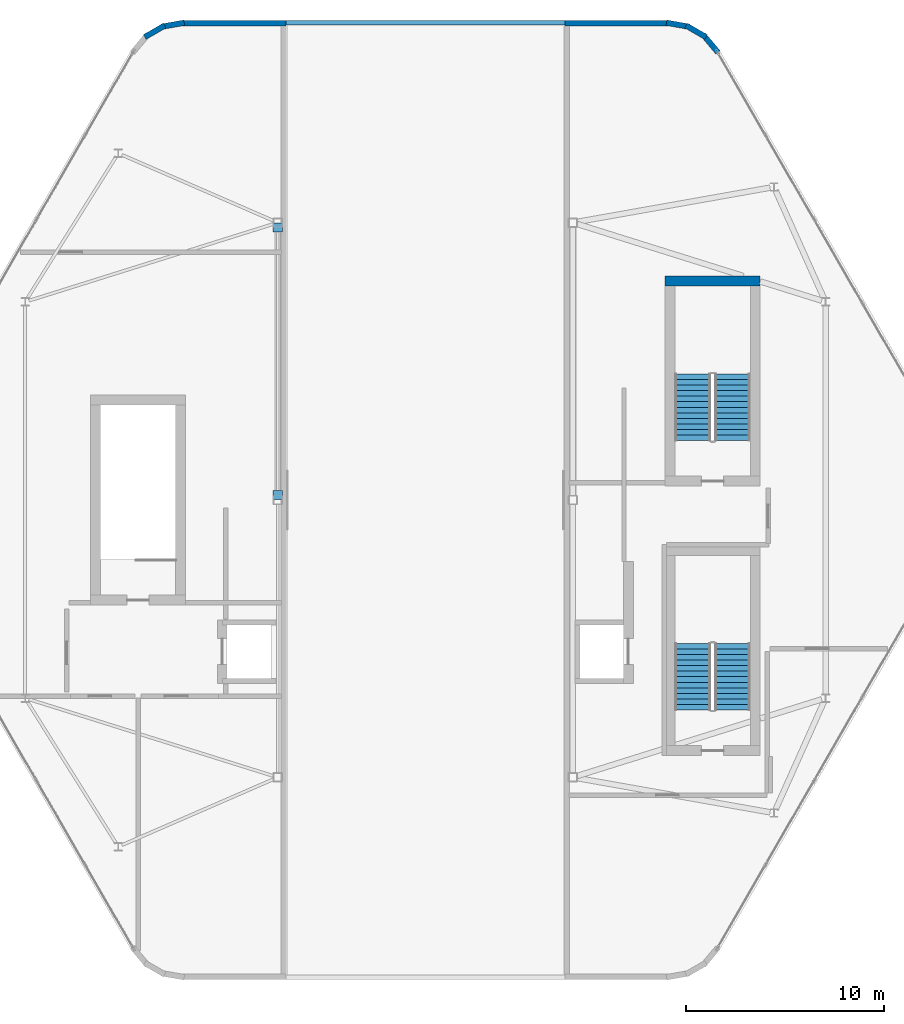
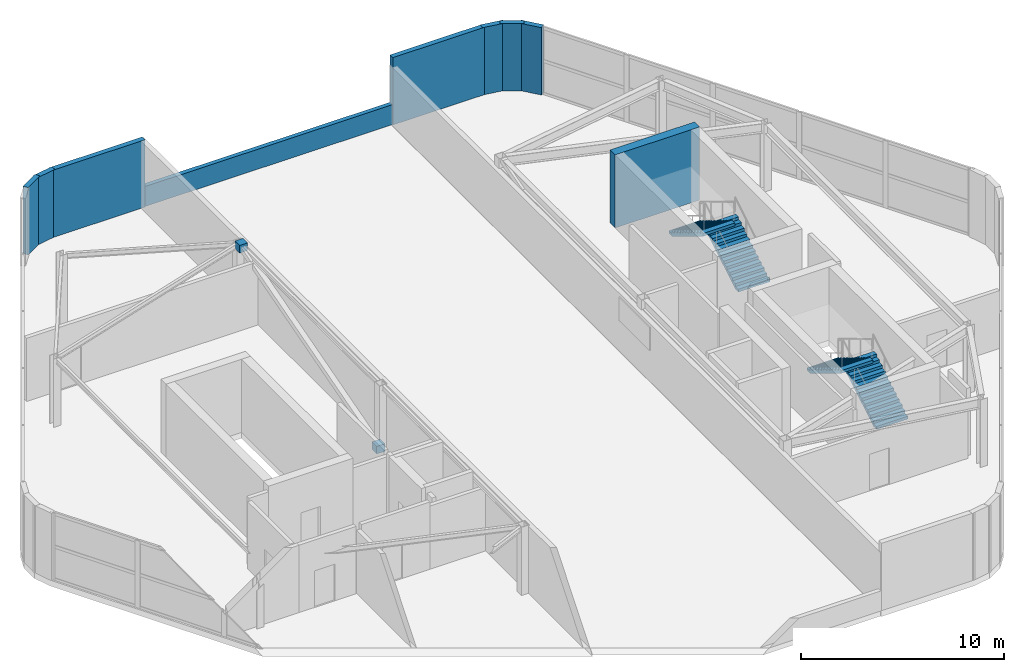
# One storey, part 13 of 14: 9 walls, 4 stair flights, 2 discrete accessories, 2 elements without a shape of their own.
"""IFC4 building model written with IfcOpenShell, lengths in metres."""

import ifcopenshell
import ifcopenshell.guid

model = None  # the IFC model being written
_history = None  # IfcOwnerHistory: only IFC2X3 demands one
_inside = {}  # id of a spatial element -> (the spatial element, [elements in it])
_under = {}  # id of a project, library or spatial element -> (it, [spatial elements below it])
_declared = {}  # id of a project -> (the project, [libraries it declares])
_typed = {}  # id of a type object -> (the type object, [elements of that type])
_made_of = {}  # id of a material, layer set ... -> (it, [elements and type objects made of it])


def new_model(schema):
    """Start an empty IFC model of exactly this schema.

    Asked for "IFC4X3", IfcOpenShell would pick the latest addendum, in which some entities
    have other attributes; the version numbers below select the first issue.
    IFC2X3 requires an IfcOwnerHistory on every rooted entity: one is made here for all.
    """
    global model, _history
    if schema == "IFC4X3":
        model = ifcopenshell.file(schema_version=(4, 3, 0, 0))
    else:
        model = ifcopenshell.file(schema=schema)
    _inside.clear()
    _under.clear()
    _declared.clear()
    _typed.clear()
    _made_of.clear()
    _history = None
    if model.schema == "IFC2X3":
        org = make("IfcOrganization", Name="unknown")
        user = make(
            "IfcPersonAndOrganization",
            ThePerson=make("IfcPerson", FamilyName="unknown"),
            TheOrganization=org,
        )
        app = make(
            "IfcApplication",
            ApplicationDeveloper=org,
            Version="unknown",
            ApplicationFullName="unknown",
            ApplicationIdentifier="unknown",
        )
        _history = make(
            "IfcOwnerHistory",
            OwningUser=user,
            OwningApplication=app,
            ChangeAction="ADDED",
            CreationDate=0,
        )
    return model


def make(cls, **values):
    """One entity of the class cls with the attributes given. An attribute that is None is left unset."""
    return model.create_entity(
        cls, **{name: value for name, value in values.items() if value is not None}
    )


def rooted(cls, **values):
    """An entity with a GlobalId (a new one), such as an element, a storey or a relation."""
    return make(cls, GlobalId=ifcopenshell.guid.new(), OwnerHistory=_history, **values)


def si_unit(unit_type, name, prefix=None):
    """IfcSIUnit, for example si_unit("LENGTHUNIT", "METRE", prefix="MILLI")."""
    return make("IfcSIUnit", UnitType=unit_type, Prefix=prefix, Name=name)


def assignment(units):
    """IfcUnitAssignment: the units of a project."""
    return None if units is None else make("IfcUnitAssignment", Units=units)


def point(xyz):
    """IfcCartesianPoint."""
    return None if xyz is None else make("IfcCartesianPoint", Coordinates=xyz)


def direction(xyz):
    """IfcDirection."""
    return None if xyz is None else make("IfcDirection", DirectionRatios=xyz)


def frame(location, z_axis=None, x_axis=None):
    """IfcAxis2Placement3D, a coordinate frame: its origin and axes. An axis left out is left unset."""
    return make(
        "IfcAxis2Placement3D",
        Location=point(location),
        Axis=direction(z_axis),
        RefDirection=direction(x_axis),
    )


def frame_2d(location, x_axis=None):
    """IfcAxis2Placement2D, a coordinate frame in the plane: its origin and x axis."""
    return make(
        "IfcAxis2Placement2D", Location=point(location), RefDirection=direction(x_axis)
    )


def origin():
    """The frame at (0, 0, 0) with its axes left unset."""
    return frame((0.0, 0.0, 0.0))


def origin_2d():
    """The frame at (0, 0) in the plane with its x axis left unset."""
    return frame_2d((0.0, 0.0))


def place(relative_to, where):
    """IfcLocalPlacement: puts the frame where relative to a parent placement (None: the world)."""
    return make(
        "IfcLocalPlacement", PlacementRelTo=relative_to, RelativePlacement=where
    )


def context(
    kind, dimensions, precision=None, world=None, true_north=None, identifier=None
):
    """IfcGeometricRepresentationContext, for example the 3D "Model" context."""
    return make(
        "IfcGeometricRepresentationContext",
        ContextIdentifier=identifier,
        ContextType=kind,
        CoordinateSpaceDimension=dimensions,
        Precision=precision,
        WorldCoordinateSystem=world,
        TrueNorth=true_north,
    )


def subcontext(parent, identifier, kind, view, scale=None):
    """IfcGeometricRepresentationSubContext, for example "Body" below "Model"."""
    return make(
        "IfcGeometricRepresentationSubContext",
        ContextIdentifier=identifier,
        ContextType=kind,
        ParentContext=parent,
        TargetScale=scale,
        TargetView=view,
    )


def project(units=None, contexts=None):
    """IfcProject with its units and contexts."""
    return rooted(
        "IfcProject",
        Name="project",
        RepresentationContexts=contexts,
        UnitsInContext=assignment(units),
    )


def spatial(cls, under=None, at=None, **own):
    """A site, building, storey or space (cls), placed at a placement, below another one or the project."""
    s = rooted(cls, ObjectPlacement=at, **own)
    if under is not None:
        _under.setdefault(under.id(), (under, []))[1].append(s)
    return s


def polyline(points):
    """IfcPolyline through the points."""
    return make("IfcPolyline", Points=[point(p) for p in points])


def profile(cls, at=None, kind="AREA", **sizes):
    """A parametric profile (cls). Its sizes go by their IFC names, for example OverallWidth=200.0."""
    return make(cls, ProfileType=kind, Position=at, **sizes)


def rectangle(**sizes):
    """IfcRectangleProfileDef."""
    return profile("IfcRectangleProfileDef", **sizes)


def outline(outer, holes=None, kind="AREA"):
    """IfcArbitraryClosedProfileDef: a profile drawn as a closed curve; with holes, ...WithVoids."""
    if holes is None:
        return make("IfcArbitraryClosedProfileDef", ProfileType=kind, OuterCurve=outer)
    return make(
        "IfcArbitraryProfileDefWithVoids",
        ProfileType=kind,
        OuterCurve=outer,
        InnerCurves=holes,
    )


def extrude(swept, where, along, depth):
    """IfcExtrudedAreaSolid: the profile swept, set in the frame where, extruded along a direction by depth."""
    return make(
        "IfcExtrudedAreaSolid",
        SweptArea=swept,
        Position=where,
        ExtrudedDirection=direction(along),
        Depth=depth,
    )


def shape(context_of_items, identifier, shape_type, items):
    """IfcShapeRepresentation: the items that make up one representation, for example the "Body"."""
    return make(
        "IfcShapeRepresentation",
        ContextOfItems=context_of_items,
        RepresentationIdentifier=identifier,
        RepresentationType=shape_type,
        Items=items,
    )


def material(Name=None, Category=None):
    """IfcMaterial."""
    return make("IfcMaterial", Name=Name, Category=Category)


def layer(
    of_material, thickness, ventilated=None, Name=None, Category=None, Priority=None
):
    """IfcMaterialLayer: one layer of a wall or slab, of a material (None: an air gap)."""
    return make(
        "IfcMaterialLayer",
        Material=of_material,
        LayerThickness=thickness,
        IsVentilated=ventilated,
        Name=Name,
        Category=Category,
        Priority=Priority,
    )


def layer_set(layers, Name=None):
    """IfcMaterialLayerSet."""
    return make("IfcMaterialLayerSet", MaterialLayers=layers, LayerSetName=Name)


def made_of(thing, what):
    """Note that an element or type object is made of a material, layer set ...; save() writes the relation."""
    if what is not None:
        _made_of.setdefault(what.id(), (what, []))[1].append(thing)
    return thing


def type_object(cls, material=None, **own):
    """A type object (cls), such as IfcWallType, which elements share."""
    return made_of(rooted(cls, **own), material)


def element(
    cls,
    number,
    at=None,
    inside=None,
    cuts=None,
    type_object=None,
    material=None,
    context=None,
    identifier="Body",
    shape_type=None,
    held_by="IfcProductDefinitionShape",
    body=None,
    shapes=None,
    **own,
):
    """One element of the class cls, such as IfcWall. Its Tag is "e" and its number.

    at: its placement. inside: the storey or other place that contains it. cuts: it is an
    opening in that element (IfcRelVoidsElement). A single representation is given by context,
    identifier, shape_type and body (its items); several are given by shapes. held_by: the class
    of the entity that holds the representations. save() writes the other relations.
    """
    e = rooted(cls, Tag="e%d" % number, ObjectPlacement=at, **own)
    if body is not None:
        shapes = [shape(context, identifier, shape_type, body)]
    if shapes is not None:
        e.Representation = make(held_by, Representations=shapes)
    if inside is not None:
        _inside.setdefault(inside.id(), (inside, []))[1].append(e)
    if cuts is not None:
        rooted(
            "IfcRelVoidsElement", RelatingBuildingElement=cuts, RelatedOpeningElement=e
        )
    if type_object is not None:
        _typed.setdefault(type_object.id(), (type_object, []))[1].append(e)
    return made_of(e, material)


def aggregate(whole, parts):
    """IfcRelAggregates: a whole, such as a stair, and the parts it consists of."""
    return rooted("IfcRelAggregates", RelatingObject=whole, RelatedObjects=parts)


def save(model, path):
    """Write the relations noted so far, then the file.

    IfcRelAggregates (storeys below a building ...), IfcRelContainedInSpatialStructure (elements
    in a storey), IfcRelDefinesByType, IfcRelAssociatesMaterial and IfcRelDeclares: one each for
    every whole, place, type object, material and project.
    """
    for whole, parts in _under.values():
        aggregate(whole, parts)
    for where, things in _inside.values():
        rooted(
            "IfcRelContainedInSpatialStructure",
            RelatedElements=things,
            RelatingStructure=where,
        )
    for kind, things in _typed.values():
        rooted("IfcRelDefinesByType", RelatedObjects=things, RelatingType=kind)
    for what, things in _made_of.values():
        rooted("IfcRelAssociatesMaterial", RelatedObjects=things, RelatingMaterial=what)
    for by, libraries in _declared.values():
        rooted("IfcRelDeclares", RelatingContext=by, RelatedDefinitions=libraries)
    model.write(path)


model = new_model("IFC4")

# Units and contexts
model_context = context("Model", 3, precision=1e-05, world=origin(), true_north=direction((0.0, 1.0)))
body_context = subcontext(model_context, "Body", "Model", "MODEL_VIEW")
ifc_project = project(units=[si_unit("LENGTHUNIT", "METRE"), si_unit("AREAUNIT", "SQUARE_METRE"), si_unit("VOLUMEUNIT", "CUBIC_METRE"), si_unit("PLANEANGLEUNIT", "RADIAN"), si_unit("MASSUNIT", "GRAM", prefix="KILO")], contexts=[model_context])

# Site, building, storey
site_placement = place(None, origin())
site = spatial("IfcSite", under=ifc_project, at=site_placement, CompositionType="ELEMENT")
building_placement = place(site_placement, origin())
building = spatial("IfcBuilding", under=site, at=building_placement, Name="Zuhravey Tower", CompositionType="ELEMENT")
storey_placement = place(building_placement, frame((0.0, 0.0, 379.0)))
storey = spatial("IfcBuildingStorey", under=building, at=storey_placement, Name="L96", CompositionType="ELEMENT", Elevation=379.0)

# Walls
ifc_material_1 = material(Name="Concrete C50/60", Category="concrete")
ifc_layer_1 = layer(ifc_material_1, 0.5)
ifc_layer_set_1 = layer_set([ifc_layer_1], Name="Concrete C50/60")
wall_type_1 = type_object("IfcWallType", Name="Core Shear Wall 500", PredefinedType="SHEAR", material=ifc_layer_set_1)
wall_1_placement = place(storey_placement, frame((52.89990234375, 43.050048828125, 0.0), z_axis=(0.0, 0.0, 1.0), x_axis=(-1.0, 0.0, 0.0)))
element("IfcWall", 1, at=wall_1_placement, inside=storey, type_object=wall_type_1, Name="L96 CST3 North Shaft Wall", PredefinedType="SHEAR", context=body_context, shape_type="SweptSolid", body=[
    extrude(rectangle(XDim=4.7998046875, YDim=0.5, at=frame_2d((2.39990234375, 0.0))), origin(), (0.0, 0.0, 1.0), 4.39990234375),
])
ifc_material_2 = material(Name="Precast concrete C40/50", Category="concrete")
ifc_layer_2 = layer(ifc_material_2, 0.280029296875)
ifc_layer_set_2 = layer_set([ifc_layer_2], Name="Precast concrete C40/50")
wall_type_2 = type_object("IfcWallType", Name="Crown Architectural Wall 280", PredefinedType="SOLIDWALL", material=ifc_layer_set_2)
wall_2_placement = place(storey_placement, frame((21.836181640625, 55.367431640625, 0.0), z_axis=(0.0, 0.0, 1.0), x_axis=(0.865951785477, 0.500127488975, 0.0)))
element("IfcWall", 2, at=wall_2_placement, inside=storey, type_object=wall_type_2, Name="L96 WEST Crest Wall EW28-10", PredefinedType="SOLIDWALL", context=body_context, shape_type="SweptSolid", body=[
    extrude(rectangle(XDim=1.165283203125, YDim=0.280029296875, at=frame_2d((0.58251953125, 0.0))), origin(), (0.0, 0.0, 1.0), 4.050048828125),
])
wall_3_placement = place(storey_placement, frame((22.669189453125, 55.885986328125, 0.0), z_axis=(0.0, 0.0, 1.0), x_axis=(0.984798162481, 0.173702559495, 0.0)))
element("IfcWall", 3, at=wall_3_placement, inside=storey, type_object=wall_type_2, Name="L96 WEST Crest Wall EW28-11", PredefinedType="SOLIDWALL", context=body_context, shape_type="SweptSolid", body=[
    extrude(rectangle(XDim=1.177734375, YDim=0.280029296875, at=frame_2d((0.5888671875, 0.0))), origin(), (0.0, 0.0, 1.0), 4.050048828125),
])
wall_4_placement = place(storey_placement, frame((23.640380859375, 56.07421875, 0.0), z_axis=(0.0, 0.0, 1.0), x_axis=(1.0, 0.0, 0.0)))
element("IfcWall", 4, at=wall_4_placement, inside=storey, type_object=wall_type_2, Name="L96 WEST Crest Wall EW28-12", PredefinedType="SOLIDWALL", context=body_context, shape_type="SweptSolid", body=[
    extrude(rectangle(XDim=5.314697265625, YDim=0.280029296875, at=frame_2d((2.6572265625, 0.0))), origin(), (0.0, 0.0, 1.0), 4.050048828125),
])
wall_5_placement = place(storey_placement, frame((48.1708984375, 56.090576171875, 0.0), z_axis=(0.0, 0.0, 1.0), x_axis=(0.984798162481, -0.173702559495, 0.0)))
element("IfcWall", 5, at=wall_5_placement, inside=storey, type_object=wall_type_2, Name="L96 EAST Crest Wall EW28-01", PredefinedType="SOLIDWALL", context=body_context, shape_type="SweptSolid", body=[
    extrude(rectangle(XDim=1.177734375, YDim=0.280029296875, at=frame_2d((0.5888671875, 0.0))), origin(), (0.0, 0.0, 1.0), 4.050048828125),
])
wall_6_placement = place(storey_placement, frame((49.15478515625, 55.9501953125, 0.0), z_axis=(0.0, 0.0, 1.0), x_axis=(0.865951785477, -0.500127488975, 0.0)))
element("IfcWall", 6, at=wall_6_placement, inside=storey, type_object=wall_type_2, Name="L96 EAST Crest Wall EW28-02", PredefinedType="SOLIDWALL", context=body_context, shape_type="SweptSolid", body=[
    extrude(rectangle(XDim=1.165283203125, YDim=0.280029296875, at=frame_2d((0.58251953125, 0.0))), origin(), (0.0, 0.0, 1.0), 4.050048828125),
])
wall_7_placement = place(storey_placement, frame((50.0205078125, 55.48779296875, 0.0), z_axis=(0.0, 0.0, 1.0), x_axis=(0.642851701012, -0.765990659542, 0.0)))
element("IfcWall", 7, at=wall_7_placement, inside=storey, type_object=wall_type_2, Name="L96 EAST Crest Wall EW28-03", PredefinedType="SOLIDWALL", context=body_context, shape_type="SweptSolid", body=[
    extrude(rectangle(XDim=1.177734375, YDim=0.280029296875, at=frame_2d((0.5888671875, 0.0))), origin(), (0.0, 0.0, 1.0), 4.050048828125),
])
wall_8_placement = place(storey_placement, frame((43.044921875, 56.07421875, 0.0), z_axis=(0.0, 0.0, 1.0), x_axis=(1.0, 0.0, 0.0)))
element("IfcWall", 8, at=wall_8_placement, inside=storey, type_object=wall_type_2, Name="L96 EAST Crest Wall EW28-14", PredefinedType="SOLIDWALL", context=body_context, shape_type="SweptSolid", body=[
    extrude(rectangle(XDim=5.314697265625, YDim=0.280029296875, at=frame_2d((2.6572265625, 0.0))), origin(), (0.0, 0.0, 1.0), 4.050048828125),
])
ifc_layer_3 = layer(ifc_material_2, 0.239990234375)
ifc_layer_set_3 = layer_set([ifc_layer_3], Name="Precast concrete C40/50")
wall_type_3 = type_object("IfcWallType", Name="Roof Parapet Upstand Wall 240", PredefinedType="PARAPET", material=ifc_layer_set_3)
wall_9_placement = place(storey_placement, frame((28.93994140625, 56.093994140625, 0.0), z_axis=(0.0, 0.0, 1.0), x_axis=(1.0, 0.0, 0.0)))
element("IfcWall", 9, at=wall_9_placement, inside=storey, type_object=wall_type_3, Name="L96 Wind-Portal Bridge Parapet PW24-4", PredefinedType="PARAPET", context=body_context, shape_type="SweptSolid", body=[
    extrude(rectangle(XDim=14.1201171875, YDim=0.239990234375, at=frame_2d((7.06005859375, 0.0))), origin(), (0.0, 0.0, 1.0), 1.199951171875),
])

# Stair, stair flights
ifc_material_3 = material(Name="Concrete C40/50", Category="concrete")
stair_type = type_object("IfcStairType", Name="Crown Storey Stair Assembly 4400", PredefinedType="HALF_TURN_STAIR", material=ifc_material_3)
stair_1_placement = place(storey_placement, origin())
stair_1 = element("IfcStair", 10, at=stair_1_placement, inside=storey, type_object=stair_type, Name="L96 East Crest South Stair CST2", PredefinedType="HALF_TURN_STAIR")
stair_flight_type = type_object("IfcStairFlightType", Name="Crown Storey Stair Flight 4400", PredefinedType="STRAIGHT", material=ifc_material_3)
stair_flight_1_placement = place(storey_placement, frame((51.5, 21.39990234375, 0.0), z_axis=(0.0, 0.0, 1.0), x_axis=(0.0, 1.0, 0.0)))
stair_flight_1 = element("IfcStairFlight", 11, at=stair_flight_1_placement, type_object=stair_flight_type, Name="CST2 flight 1", NumberOfRisers=13, NumberOfTreads=12, PredefinedType="STRAIGHT", RiserHeight=0.169230769, TreadLength=0.28, context=body_context, shape_type="SweptSolid", body=[
    extrude(outline(polyline([(0.0, 0.0), (0.0, 0.169189453125), (0.280029296875, 0.169189453125), (0.280029296875, 0.33837890625), (0.56005859375, 0.33837890625), (0.56005859375, 0.5078125), (0.840087890625, 0.5078125), (0.840087890625, 0.677001953125), (1.1201171875, 0.677001953125), (1.1201171875, 0.84619140625), (1.39990234375, 0.84619140625), (1.39990234375, 1.015380859375), (1.679931640625, 1.015380859375), (1.679931640625, 1.1845703125), (1.9599609375, 1.1845703125), (1.9599609375, 1.353759765625), (2.239990234375, 1.353759765625), (2.239990234375, 1.523193359375), (2.52001953125, 1.523193359375), (2.52001953125, 1.6923828125), (2.800048828125, 1.6923828125), (2.800048828125, 1.861572265625), (3.080078125, 1.861572265625), (3.080078125, 2.03076171875), (3.360107421875, 2.03076171875), (3.360107421875, 2.199951171875), (3.360107421875, 1.855712890625), (0.289794921875, 0.0), (0.0, 0.0)])), frame((0.0, 0.89990234375, 0.0), z_axis=(0.0, -1.0, 0.0), x_axis=(1.0, 0.0, 0.0)), (0.0, 0.0, 1.0), 1.800048828125),
])
stair_flight_2_placement = place(storey_placement, frame((49.5, 24.760009765625, 2.199951171875), z_axis=(0.0, 0.0, 1.0), x_axis=(0.0, -1.0, 0.0)))
stair_flight_2 = element("IfcStairFlight", 12, at=stair_flight_2_placement, type_object=stair_flight_type, Name="CST2 flight 2", NumberOfRisers=13, NumberOfTreads=12, PredefinedType="STRAIGHT", RiserHeight=0.169230769, TreadLength=0.28, context=body_context, shape_type="SweptSolid", body=[
    extrude(outline(polyline([(0.0, 0.0), (0.0, 0.169189453125), (0.280029296875, 0.169189453125), (0.280029296875, 0.33837890625), (0.56005859375, 0.33837890625), (0.56005859375, 0.5078125), (0.840087890625, 0.5078125), (0.840087890625, 0.677001953125), (1.1201171875, 0.677001953125), (1.1201171875, 0.84619140625), (1.39990234375, 0.84619140625), (1.39990234375, 1.015380859375), (1.679931640625, 1.015380859375), (1.679931640625, 1.1845703125), (1.9599609375, 1.1845703125), (1.9599609375, 1.353759765625), (2.239990234375, 1.353759765625), (2.239990234375, 1.523193359375), (2.52001953125, 1.523193359375), (2.52001953125, 1.6923828125), (2.800048828125, 1.6923828125), (2.800048828125, 1.861572265625), (3.080078125, 1.861572265625), (3.080078125, 2.03076171875), (3.360107421875, 2.03076171875), (3.360107421875, 2.199951171875), (3.360107421875, 1.855712890625), (0.289794921875, 0.0), (0.0, 0.0)])), frame((0.0, 0.89990234375, 0.0), z_axis=(0.0, -1.0, 0.0), x_axis=(1.0, 0.0, 0.0)), (0.0, 0.0, 1.0), 1.800048828125),
])
aggregate(stair_1, [stair_flight_1, stair_flight_2])

stair_2_placement = place(storey_placement, origin())
stair_2 = element("IfcStair", 13, at=stair_2_placement, inside=storey, type_object=stair_type, Name="L96 East Crest North Stair CST3", PredefinedType="HALF_TURN_STAIR")
stair_flight_3_placement = place(storey_placement, frame((51.5, 35.0, 0.0), z_axis=(0.0, 0.0, 1.0), x_axis=(0.0, 1.0, 0.0)))
stair_flight_3 = element("IfcStairFlight", 14, at=stair_flight_3_placement, type_object=stair_flight_type, Name="CST3 flight 1", NumberOfRisers=13, NumberOfTreads=12, PredefinedType="STRAIGHT", RiserHeight=0.169230769, TreadLength=0.28, context=body_context, shape_type="SweptSolid", body=[
    extrude(outline(polyline([(0.0, 0.0), (0.0, 0.169189453125), (0.280029296875, 0.169189453125), (0.280029296875, 0.33837890625), (0.56005859375, 0.33837890625), (0.56005859375, 0.5078125), (0.840087890625, 0.5078125), (0.840087890625, 0.677001953125), (1.1201171875, 0.677001953125), (1.1201171875, 0.84619140625), (1.39990234375, 0.84619140625), (1.39990234375, 1.015380859375), (1.679931640625, 1.015380859375), (1.679931640625, 1.1845703125), (1.9599609375, 1.1845703125), (1.9599609375, 1.353759765625), (2.239990234375, 1.353759765625), (2.239990234375, 1.523193359375), (2.52001953125, 1.523193359375), (2.52001953125, 1.6923828125), (2.800048828125, 1.6923828125), (2.800048828125, 1.861572265625), (3.080078125, 1.861572265625), (3.080078125, 2.03076171875), (3.360107421875, 2.03076171875), (3.360107421875, 2.199951171875), (3.360107421875, 1.855712890625), (0.289794921875, 0.0), (0.0, 0.0)])), frame((0.0, 0.89990234375, 0.0), z_axis=(0.0, -1.0, 0.0), x_axis=(1.0, 0.0, 0.0)), (0.0, 0.0, 1.0), 1.800048828125),
])
stair_flight_4_placement = place(storey_placement, frame((49.5, 38.360107421875, 2.199951171875), z_axis=(0.0, 0.0, 1.0), x_axis=(0.0, -1.0, 0.0)))
stair_flight_4 = element("IfcStairFlight", 15, at=stair_flight_4_placement, type_object=stair_flight_type, Name="CST3 flight 2", NumberOfRisers=13, NumberOfTreads=12, PredefinedType="STRAIGHT", RiserHeight=0.169230769, TreadLength=0.28, context=body_context, shape_type="SweptSolid", body=[
    extrude(outline(polyline([(0.0, 0.0), (0.0, 0.169189453125), (0.280029296875, 0.169189453125), (0.280029296875, 0.33837890625), (0.56005859375, 0.33837890625), (0.56005859375, 0.5078125), (0.840087890625, 0.5078125), (0.840087890625, 0.677001953125), (1.1201171875, 0.677001953125), (1.1201171875, 0.84619140625), (1.39990234375, 0.84619140625), (1.39990234375, 1.015380859375), (1.679931640625, 1.015380859375), (1.679931640625, 1.1845703125), (1.9599609375, 1.1845703125), (1.9599609375, 1.353759765625), (2.239990234375, 1.353759765625), (2.239990234375, 1.523193359375), (2.52001953125, 1.523193359375), (2.52001953125, 1.6923828125), (2.800048828125, 1.6923828125), (2.800048828125, 1.861572265625), (3.080078125, 1.861572265625), (3.080078125, 2.03076171875), (3.360107421875, 2.03076171875), (3.360107421875, 2.199951171875), (3.360107421875, 1.855712890625), (0.289794921875, 0.0), (0.0, 0.0)])), frame((0.0, 0.89990234375, 0.0), z_axis=(0.0, -1.0, 0.0), x_axis=(1.0, 0.0, 0.0)), (0.0, 0.0, 1.0), 1.800048828125),
])
aggregate(stair_2, [stair_flight_3, stair_flight_4])

# Discrete accessories
ifc_material_4 = material(Name="Steel SM355", Category="steel")
discrete_accessory_type = type_object("IfcDiscreteAccessoryType", Name="Exoskeleton Support Bracket", PredefinedType="BRACKET", material=ifc_material_4)
for number, where, z_axis, x_axis, name in (
    (16, (28.550048828125, 32.249267578125, -0.12451171875), (0.0, 0.0, 1.0), (1.0, 0.0, 0.0), "L96 WCFS1 End Shoe BRK1-FT"),
    (17, (28.550048828125, 45.750732421875, 3.764404296875), (0.0, 0.0, 1.0), (1.0, 0.0, 0.0), "L96 WCFS1 End Shoe BRK1-HD"),
):
    element("IfcDiscreteAccessory", number, at=place(storey_placement, frame(where, z_axis=z_axis, x_axis=x_axis)), inside=storey, type_object=discrete_accessory_type, Name=name, PredefinedType="BRACKET", context=body_context, shape_type="SweptSolid", body=[
        extrude(rectangle(XDim=0.4599609375, YDim=0.4599609375, at=origin_2d()), origin(), (0.0, 0.0, 1.0), 0.4599609375),
    ])

save(model, "model.ifc")
